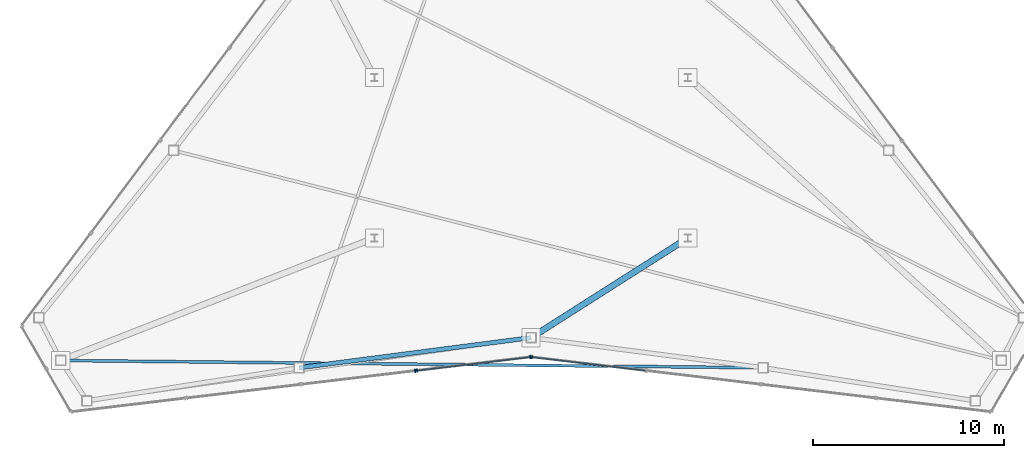
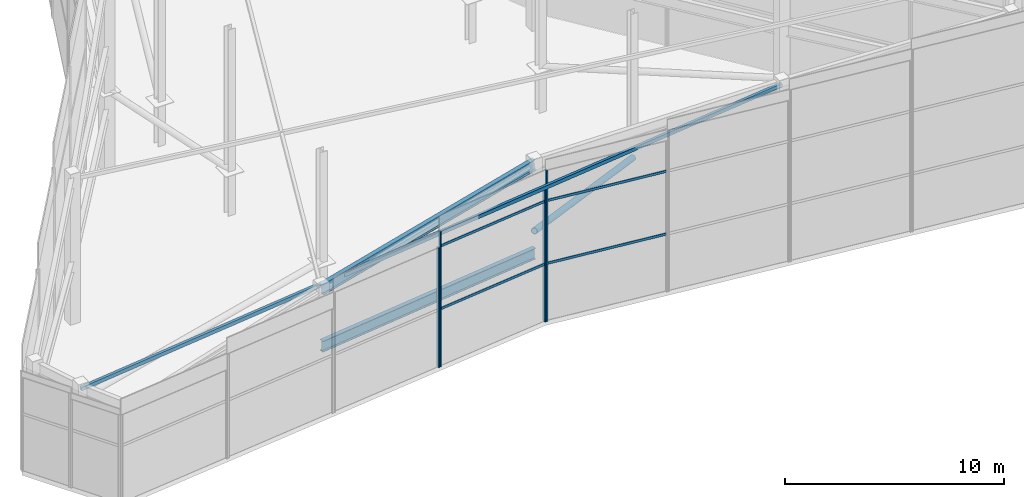
# One storey, part 4 of 17: 10 members, 2 beams, 3 elements without a shape of their own.
"""IFC4 building model written with IfcOpenShell, lengths in metres."""

from ifc_helpers import new_model, si_unit, direction, frame, origin, origin_2d, place, context, subcontext, project, spatial, rectangle, hollow_rectangle, hollow_circle, i_section, extrude, source, transform, mapped, material, layer, layer_set, material_profile, profile_set, type_object, type_shapes, element, aggregate, save


model = new_model("IFC4")

# Units and contexts
model_context = context("Model", 3, precision=1e-05, world=origin(), true_north=direction((0.0, 1.0)))
body_context = subcontext(model_context, "Body", "Model", "MODEL_VIEW")
ifc_project = project(units=[si_unit("LENGTHUNIT", "METRE"), si_unit("AREAUNIT", "SQUARE_METRE"), si_unit("VOLUMEUNIT", "CUBIC_METRE"), si_unit("PLANEANGLEUNIT", "RADIAN"), si_unit("MASSUNIT", "GRAM", prefix="KILO")], contexts=[model_context])

# Site, building, storey
site_placement = place(None, origin())
site = spatial("IfcSite", under=ifc_project, at=site_placement, CompositionType="ELEMENT")
building_placement = place(site_placement, origin())
building = spatial("IfcBuilding", under=site, at=building_placement, Name="Varakhsha Concourse Tower", CompositionType="ELEMENT")
storey_placement = place(building_placement, frame((0.0, 0.0, 294.800048828125)))
storey = spatial("IfcBuildingStorey", under=building, at=storey_placement, Name="RF", CompositionType="ELEMENT", Elevation=294.800048828125)

# Beams
ifc_material_1 = material(Name="Structural Steel ASTM A992 Grade 50", Category="steel")
ifc_material_profile_1 = material_profile(ifc_material_1, i_section(OverallWidth=0.22900390625, OverallDepth=0.612060546875, WebThickness=0.011962890625, FlangeThickness=0.02001953125, at=origin_2d()), Name="W24X84")
ifc_profile_set_1 = profile_set([ifc_material_profile_1], Name="Structural Steel ASTM A992 Grade 50")
beam_type = type_object("IfcBeamType", Name="BM-CROWN-W24X84", PredefinedType="BEAM", material=ifc_profile_set_1)
beam_1_placement = place(storey_placement, frame((27.85986328125, 9.6103515625, 6.365966796875), z_axis=(0.981319047278, 0.12728769366, 0.144259386148), x_axis=(-0.12863320886, 0.991692239346, 0.0)))
element("IfcBeam", 1, at=beam_1_placement, inside=storey, type_object=beam_type, Name="Crown Frame Sloped Cap Ring 10", PredefinedType="BEAM", context=body_context, shape_type="SweptSolid", body=[
    extrude(i_section(OverallWidth=0.22900390625, OverallDepth=0.612060546875, WebThickness=0.011962890625, FlangeThickness=0.02001953125, at=origin_2d()), origin(), (0.0, 0.0, 1.0), 12.371337890625),
])
beam_2_placement = place(storey_placement, frame((27.85986328125, 9.6103515625, 3.199951171875), z_axis=(0.991692239346, 0.12863320886, 0.0), x_axis=(-0.12863320886, 0.991692239346, 0.0)))
element("IfcBeam", 2, at=beam_2_placement, inside=storey, type_object=beam_type, Name="Crown Frame Ring Tier 1 10", PredefinedType="BEAM", context=body_context, shape_type="SweptSolid", body=[
    extrude(i_section(OverallWidth=0.22900390625, OverallDepth=0.612060546875, WebThickness=0.011962890625, FlangeThickness=0.02001953125, at=origin_2d()), origin(), (0.0, 0.0, 1.0), 12.241943359375),
])

# Members
ifc_material_2 = material(Name="Structural Steel ASTM A500 Grade C", Category="steel")
ifc_material_profile_2 = material_profile(ifc_material_2, hollow_circle(Radius=0.162109375, WallThickness=0.013916015625, at=origin_2d()), Name="CHS 324x14")
ifc_profile_set_2 = profile_set([ifc_material_profile_2], Name="Structural Steel ASTM A500 Grade C")
member_type_1 = type_object("IfcMemberType", Name="MB-CROWN-CHS324", PredefinedType="BRACE", material=ifc_profile_set_2)
shared_shape_1 = source(origin(), body_context, "Body", "SweptSolid", [
    extrude(hollow_circle(Radius=0.162109375, WallThickness=0.013916015625, at=origin_2d()), origin(), (0.0, 0.0, 1.0), 9.911376953125),
])
type_shapes(member_type_1, [shared_shape_1])
member_1_placement = place(storey_placement, frame((48.199951171875, 16.39990234375, 2.449951171875), z_axis=(-0.827324148336, -0.526145348154, 0.196737963282), x_axis=(0.536633252094, -0.843815591671, 0.0)))
element("IfcMember", 3, at=member_1_placement, inside=storey, type_object=member_type_1, Name="Crown Frame Radial Wind Brace CB02", PredefinedType="BRACE", context=body_context, shape_type="MappedRepresentation", body=[
    mapped(shared_shape_1, transform((0.0, 0.0, 0.0), scale=1.0)),
])
ifc_material_profile_3 = material_profile(ifc_material_2, hollow_rectangle(XDim=0.14990234375, YDim=0.199951171875, WallThickness=0.010009765625, at=origin_2d()), Name="HSS 200x150x10")
ifc_profile_set_3 = profile_set([ifc_material_profile_3], Name="Structural Steel ASTM A500 Grade C")
member_type_2 = type_object("IfcMemberType", Name="MB-CROWN-PURLIN", PredefinedType="PURLIN", material=ifc_profile_set_3)
shared_shape_2 = source(origin(), body_context, "Body", "SweptSolid", [
    extrude(hollow_rectangle(XDim=0.14990234375, YDim=0.199951171875, WallThickness=0.010009765625, at=origin_2d()), origin(), (0.0, 0.0, 1.0), 37.006103515625),
])
type_shapes(member_type_2, [shared_shape_2])
member_2_placement = place(storey_placement, frame((15.390380859375, 9.99169921875, 4.948486328125), z_axis=(0.993071094868, -0.010304975521, 0.117062410779), x_axis=(0.010376317266, 0.999946164571, 0.0)))
element("IfcMember", 4, at=member_2_placement, inside=storey, type_object=member_type_2, Name="Slanted Crown Roof Purlin PR06", PredefinedType="PURLIN", context=body_context, shape_type="MappedRepresentation", body=[
    mapped(shared_shape_2, transform((0.0, 0.0, 0.0), scale=1.0)),
])

# Curtain wall, members
ifc_material_3 = material(Name="Anodised Bronze Architectural Aluminium AA 6063-T6", Category="aluminium")
ifc_layer = layer(ifc_material_3, 0.219970703125, Name="CW-SYS-07")
ifc_layer_set = layer_set([ifc_layer], Name="Anodised Bronze Architectural Aluminium AA 6063-T6")
curtain_wall_type = type_object("IfcCurtainWallType", Name="CW-SYS-07", PredefinedType="NOTDEFINED", material=ifc_layer_set)
curtain_wall_1_placement = place(storey_placement, origin())
curtain_wall_1 = element("IfcCurtainWall", 5, at=curtain_wall_1_placement, inside=storey, type_object=curtain_wall_type, Name="Slanted Crown Curtain Wall F5-S4", PredefinedType="NOTDEFINED")
ifc_material_profile_4 = material_profile(ifc_material_3, rectangle(XDim=0.06005859375, YDim=0.139892578125, at=origin_2d()), Name="CWT-140X60")
ifc_profile_set_4 = profile_set([ifc_material_profile_4], Name="Anodised Bronze Architectural Aluminium AA 6063-T6")
member_type_3 = type_object("IfcMemberType", Name="CWT-140X60", PredefinedType="USERDEFINED", material=ifc_profile_set_4)
shared_shape_3 = source(origin(), body_context, "Body", "SweptSolid", [
    extrude(rectangle(XDim=0.06005859375, YDim=0.139892578125, at=origin_2d()), origin(), (0.0, 0.0, 1.0), 5.960693359375),
])
type_shapes(member_type_3, [shared_shape_3])
member_3_placement = place(storey_placement, frame((39.950439453125, 10.1669921875, 3.199951171875), z_axis=(-0.992954923144, -0.118492702745, 0.0), x_axis=(0.118492702745, -0.992954923144, 0.0)))
member_3 = element("IfcMember", 6, at=member_3_placement, type_object=member_type_3, Name="CW-RF-F5S4 Transom 01", ObjectType="TRANSOM", PredefinedType="USERDEFINED", context=body_context, shape_type="MappedRepresentation", body=[
    mapped(shared_shape_3, transform((0.0, 0.0, 0.0), scale=1.0)),
])
member_4_placement = place(storey_placement, frame((39.950439453125, 10.1669921875, 6.699951171875), z_axis=(-0.992954923144, -0.118492702745, 0.0), x_axis=(0.118492702745, -0.992954923144, 0.0)))
member_4 = element("IfcMember", 7, at=member_4_placement, type_object=member_type_3, Name="CW-RF-F5S4 Transom 02", ObjectType="TRANSOM", PredefinedType="USERDEFINED", context=body_context, shape_type="MappedRepresentation", body=[
    mapped(shared_shape_3, transform((0.0, 0.0, 0.0), scale=1.0)),
])

curtain_wall_2_placement = place(storey_placement, origin())
curtain_wall_2 = element("IfcCurtainWall", 8, at=curtain_wall_2_placement, inside=storey, type_object=curtain_wall_type, Name="Slanted Crown Curtain Wall F6-S1", PredefinedType="NOTDEFINED")
member_5_placement = place(storey_placement, frame((45.96826171875, 9.460693359375, 3.199951171875), z_axis=(-0.992954923144, 0.118492702745, 0.0), x_axis=(-0.118492702745, -0.992954923144, 0.0)))
member_5 = element("IfcMember", 9, at=member_5_placement, type_object=member_type_3, Name="CW-RF-F6S1 Transom 01", ObjectType="TRANSOM", PredefinedType="USERDEFINED", context=body_context, shape_type="MappedRepresentation", body=[
    mapped(shared_shape_3, transform((0.0, 0.0, 0.0), scale=1.0)),
])
member_6_placement = place(storey_placement, frame((45.96826171875, 9.460693359375, 6.699951171875), z_axis=(-0.992954923144, 0.118492702745, 0.0), x_axis=(-0.118492702745, -0.992954923144, 0.0)))
member_6 = element("IfcMember", 10, at=member_6_placement, type_object=member_type_3, Name="CW-RF-F6S1 Transom 02", ObjectType="TRANSOM", PredefinedType="USERDEFINED", context=body_context, shape_type="MappedRepresentation", body=[
    mapped(shared_shape_3, transform((0.0, 0.0, 0.0), scale=1.0)),
])

# Curtain wall, member
curtain_wall_3_placement = place(storey_placement, origin())
curtain_wall_3 = element("IfcCurtainWall", 11, at=curtain_wall_3_placement, inside=storey, type_object=curtain_wall_type, Name="Slanted Crown Curtain Wall F5-S3", PredefinedType="NOTDEFINED")
ifc_material_profile_5 = material_profile(ifc_material_3, rectangle(XDim=0.06494140625, YDim=0.179931640625, at=origin_2d()), Name="CWM-180X65")
ifc_profile_set_5 = profile_set([ifc_material_profile_5], Name="Anodised Bronze Architectural Aluminium AA 6063-T6")
member_type_4 = type_object("IfcMemberType", Name="CWM-180X65", PredefinedType="MULLION", material=ifc_profile_set_5)
shared_shape_4 = source(origin(), body_context, "Body", "SweptSolid", [
    extrude(rectangle(XDim=0.06494140625, YDim=0.179931640625, at=origin_2d()), origin(), (0.0, 0.0, 1.0), 6.666748046875),
])
member_7_placement = place(storey_placement, frame((33.9326171875, 9.448974609375, 0.0), z_axis=(0.0, 0.0, 1.0), x_axis=(-0.992951034922, -0.118525281045, 0.0)))
member_7 = element("IfcMember", 12, at=member_7_placement, type_object=member_type_4, Name="CW-RF-F5S3 Mullion 00", PredefinedType="MULLION", context=body_context, shape_type="MappedRepresentation", body=[
    mapped(shared_shape_4, transform((0.0, 0.0, 0.0), scale=1.0)),
])
aggregate(curtain_wall_3, [member_7])

# Member
shared_shape_5 = source(origin(), body_context, "Body", "SweptSolid", [
    extrude(rectangle(XDim=0.06494140625, YDim=0.179931640625, at=origin_2d()), origin(), (0.0, 0.0, 1.0), 7.53857421875),
])
member_8_placement = place(storey_placement, frame((39.950439453125, 10.1669921875, 0.0), z_axis=(0.0, 0.0, 1.0), x_axis=(-0.992952896591, -0.118509683792, 0.0)))
member_8 = element("IfcMember", 13, at=member_8_placement, type_object=member_type_4, Name="CW-RF-F5S4 Mullion 00", PredefinedType="MULLION", context=body_context, shape_type="MappedRepresentation", body=[
    mapped(shared_shape_5, transform((0.0, 0.0, 0.0), scale=1.0)),
])

member_9_placement = place(storey_placement, frame((34.03173828125, 9.460693359375, 0.0), z_axis=(0.0, 0.0, 1.0), x_axis=(-0.992952896591, -0.118509683792, 0.0)))
member_9 = element("IfcMember", 14, at=member_9_placement, type_object=member_type_4, Name="CW-RF-F5S4 Mullion 01", PredefinedType="MULLION", context=body_context, shape_type="MappedRepresentation", body=[
    mapped(shared_shape_5, transform((0.0, 0.0, 0.0), scale=1.0)),
])

aggregate(curtain_wall_1, [member_8, member_9, member_3, member_4])

shared_shape_6 = source(origin(), body_context, "Body", "SweptSolid", [
    extrude(rectangle(XDim=0.06494140625, YDim=0.179931640625, at=origin_2d()), origin(), (0.0, 0.0, 1.0), 8.41015625),
])
type_shapes(member_type_4, [shared_shape_4, shared_shape_5, shared_shape_6])
member_10_placement = place(storey_placement, frame((40.049560546875, 10.1669921875, 0.0), z_axis=(0.0, 0.0, 1.0), x_axis=(-0.992952896591, 0.118509683792, 0.0)))
member_10 = element("IfcMember", 15, at=member_10_placement, type_object=member_type_4, Name="CW-RF-F6S1 Mullion 01", PredefinedType="MULLION", context=body_context, shape_type="MappedRepresentation", body=[
    mapped(shared_shape_6, transform((0.0, 0.0, 0.0), scale=1.0)),
])

aggregate(curtain_wall_2, [member_10, member_5, member_6])

save(model, "model.ifc")
